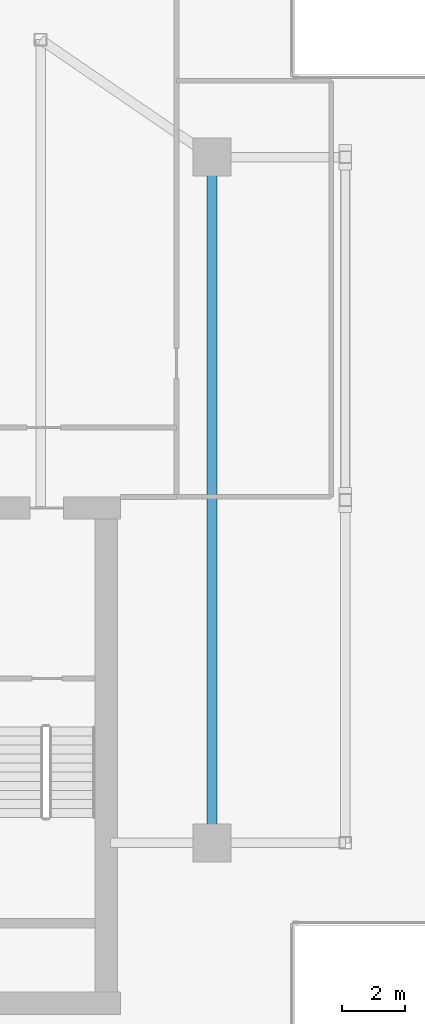
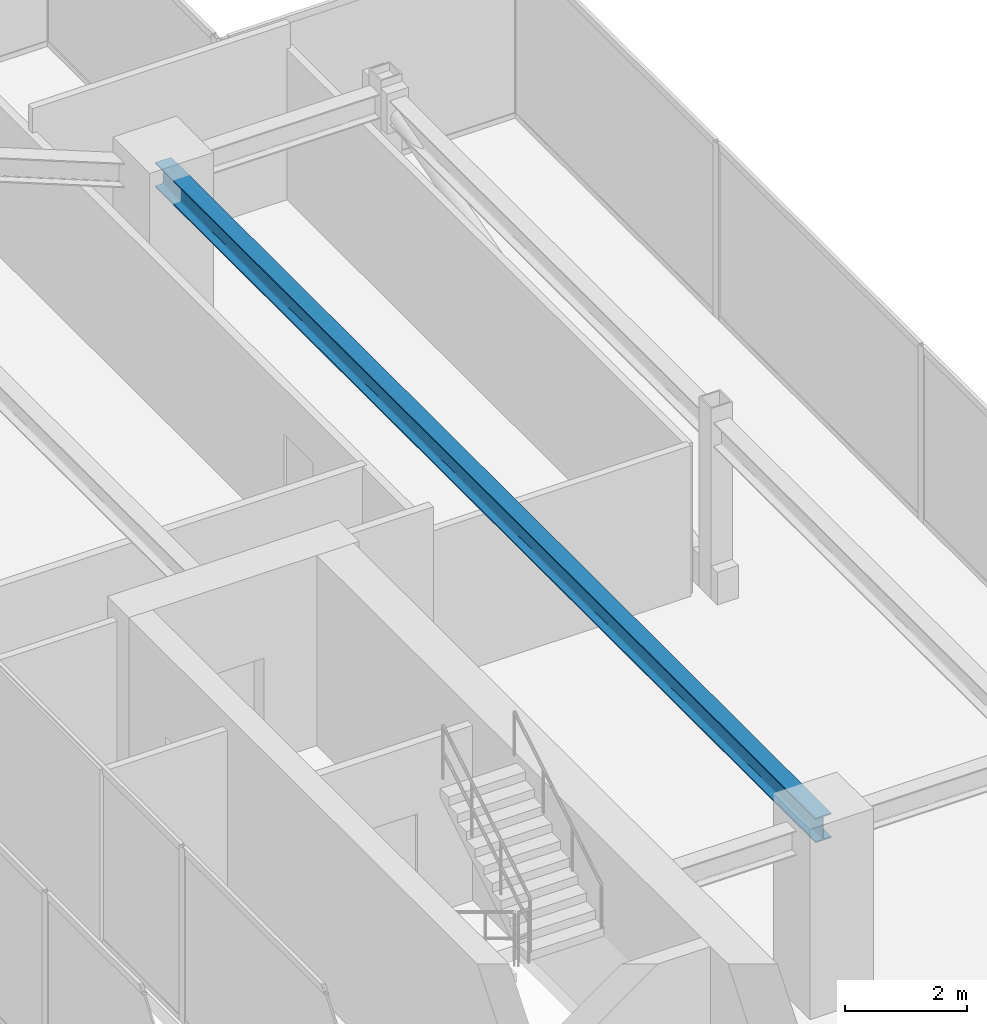
# One storey, part 13 of 25: 1 beam.
"""IFC4 building model written with IfcOpenShell, lengths in metres."""

from ifc_helpers import new_model, si_unit, direction, frame, origin, origin_2d, place, context, subcontext, project, spatial, i_section, extrude, source, transform, mapped, material, material_profile, profile_set, type_object, type_shapes, element, save


model = new_model("IFC4")

# Units and contexts
model_context = context("Model", 3, precision=1e-05, world=origin(), true_north=direction((0.0, 1.0)))
body_context = subcontext(model_context, "Body", "Model", "MODEL_VIEW")
ifc_project = project(units=[si_unit("LENGTHUNIT", "METRE"), si_unit("AREAUNIT", "SQUARE_METRE"), si_unit("VOLUMEUNIT", "CUBIC_METRE"), si_unit("PLANEANGLEUNIT", "RADIAN"), si_unit("MASSUNIT", "GRAM", prefix="KILO")], contexts=[model_context])

# Site, building, storey
site_placement = place(None, origin())
site = spatial("IfcSite", under=ifc_project, at=site_placement, CompositionType="ELEMENT")
building_placement = place(site_placement, origin())
building = spatial("IfcBuilding", under=site, at=building_placement, Name="Krantzveldt Concourse Tower", CompositionType="ELEMENT")
storey_placement = place(building_placement, frame((0.0, 0.0, 370.85009765625)))
storey = spatial("IfcBuildingStorey", under=building, at=storey_placement, Name="L91", CompositionType="ELEMENT", Elevation=370.85009765625)

# Beam
ifc_material = material(Name="Steel S355JR", Category="steel")
ifc_material_profile = material_profile(ifc_material, i_section(OverallWidth=0.300048828125, OverallDepth=0.489990234375, WebThickness=0.011962890625, FlangeThickness=0.02294921875, FilletRadius=0.027099609375, at=origin_2d()), Name="Steel S355JR", Category="steel")
ifc_profile_set = profile_set([ifc_material_profile], Name="Steel S355JR - HEA 500")
beam_type = type_object("IfcBeamType", Name="BM-B-HEA500", PredefinedType="BEAM", material=ifc_profile_set)
shared_shape = source(origin(), body_context, "Body", "SweptSolid", [
    extrude(i_section(OverallWidth=0.300048828125, OverallDepth=0.489990234375, WebThickness=0.011962890625, FlangeThickness=0.02294921875, FilletRadius=0.027099609375, at=origin_2d()), origin(), (0.0, 0.0, 1.0), 21.60009765625),
])
type_shapes(beam_type, [shared_shape])
beam_placement = place(storey_placement, frame((46.800048828125, 15.89990234375, 3.2548828125), z_axis=(0.0, 1.0, 0.0), x_axis=(-1.0, 0.0, 0.0)))
element("IfcBeam", 1, at=beam_placement, inside=storey, type_object=beam_type, Name="L91 Crown Girder EAST-8", PredefinedType="BEAM", context=body_context, shape_type="MappedRepresentation", body=[
    mapped(shared_shape, transform((0.0, 0.0, 0.0), x_axis=(1.0, 0.0, 0.0), y_axis=(0.0, 1.0, 0.0), z_axis=(0.0, 0.0, 1.0), scale=1.0)),
])

save(model, "model.ifc")
